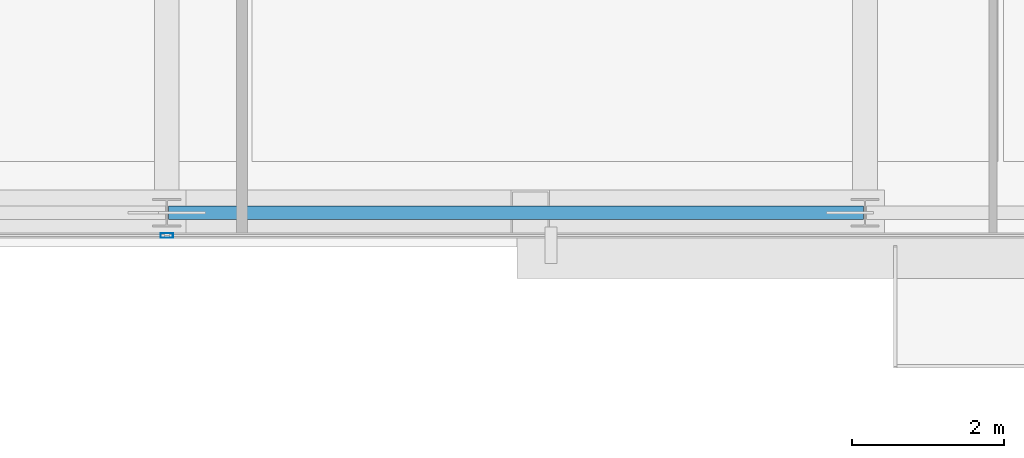
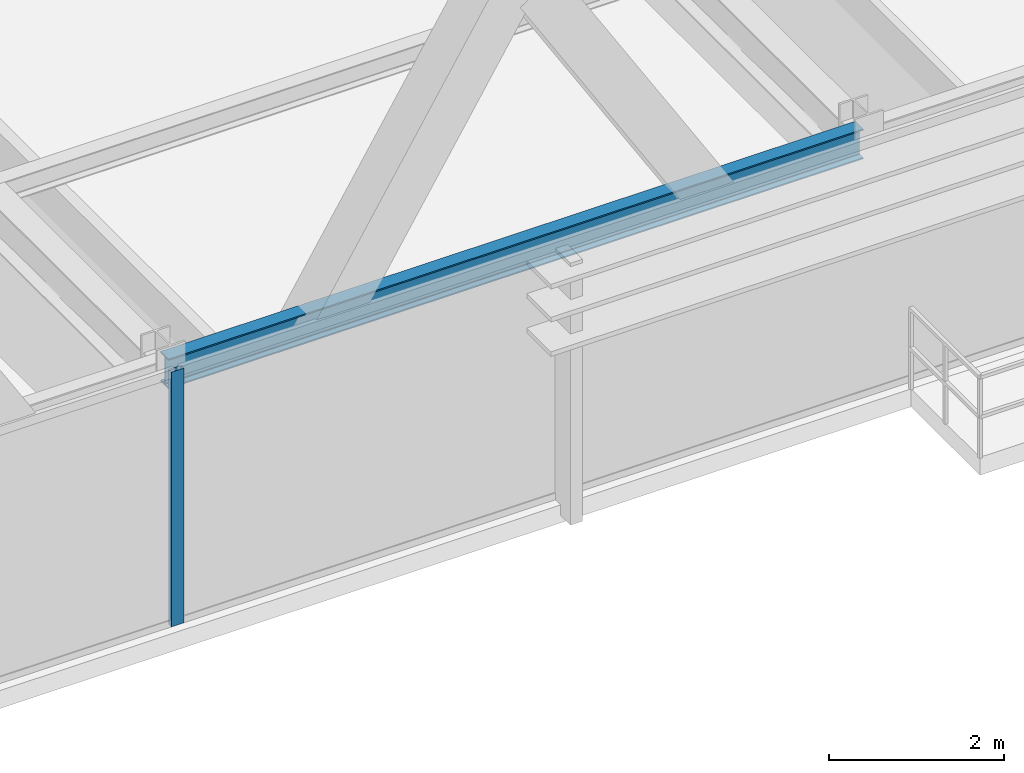
# One storey, part 8 of 34: 1 beam, 1 member, 1 element without a shape of its own.
"""IFC4 building model written with IfcOpenShell, lengths in metres."""

from ifc_helpers import new_model, si_unit, direction, frame, origin, origin_2d, place, context, subcontext, project, spatial, hollow_rectangle, i_section, extrude, source, transform, mapped, material, layer, layer_set, material_profile, profile_set, type_object, type_shapes, element, aggregate, save


model = new_model("IFC4")

# Units and contexts
model_context = context("Model", 3, precision=1e-05, world=origin(), true_north=direction((0.0, 1.0)))
body_context = subcontext(model_context, "Body", "Model", "MODEL_VIEW")
ifc_project = project(units=[si_unit("LENGTHUNIT", "METRE"), si_unit("AREAUNIT", "SQUARE_METRE"), si_unit("VOLUMEUNIT", "CUBIC_METRE"), si_unit("PLANEANGLEUNIT", "RADIAN"), si_unit("MASSUNIT", "GRAM", prefix="KILO")], contexts=[model_context])

# Site, building, storey
site_placement = place(None, origin())
site = spatial("IfcSite", under=ifc_project, at=site_placement, CompositionType="ELEMENT")
building_placement = place(site_placement, origin())
building = spatial("IfcBuilding", under=site, at=building_placement, Name="Varnel Quay Broadcast Tower", CompositionType="ELEMENT")
storey_placement = place(building_placement, frame((0.0, 0.0, 176.199951171875)))
storey = spatial("IfcBuildingStorey", under=building, at=storey_placement, Name="L43", CompositionType="ELEMENT", Elevation=176.199951171875)

# Beam
ifc_material_1 = material(Name="Structural Steel CSA G40.21 350W", Category="steel")
ifc_material_profile_1 = material_profile(ifc_material_1, i_section(OverallWidth=0.180908203125, OverallDepth=0.4169921875, WebThickness=0.010986328125, FlangeThickness=0.018310546875, FilletRadius=0.011962890625, at=origin_2d()), Name="W410X85")
ifc_profile_set_1 = profile_set([ifc_material_profile_1], Name="Structural Steel CSA G40.21 350W")
beam_type = type_object("IfcBeamType", Name="Beam_W410X85", PredefinedType="SPANDREL", material=ifc_profile_set_1)
shared_shape_1 = source(origin(), body_context, "Body", "SweptSolid", [
    extrude(i_section(OverallWidth=0.180908203125, OverallDepth=0.4169921875, WebThickness=0.010986328125, FlangeThickness=0.018310546875, FilletRadius=0.011962890625, at=origin_2d()), origin(), (0.0, 0.0, 1.0), 9.159912109375),
])
type_shapes(beam_type, [shared_shape_1])
beam_placement = place(storey_placement, frame((34.02001953125, 7.64990234375, 3.341552734375), z_axis=(1.0, 0.0, 0.0), x_axis=(0.0, 1.0, 0.0)))
element("IfcBeam", 1, at=beam_placement, inside=storey, type_object=beam_type, Name="L43 South Spandrel TC-S3-TC-S4", PredefinedType="SPANDREL", context=body_context, shape_type="MappedRepresentation", body=[
    mapped(shared_shape_1, transform((0.0, 0.0, 0.0), x_axis=(1.0, 0.0, 0.0), y_axis=(0.0, 1.0, 0.0), z_axis=(0.0, 0.0, 1.0), scale=1.0)),
])

# Curtain wall, member
ifc_material_2 = material(Name="Anodised Bronze Aluminium 6063-T6", Category="aluminium")
ifc_layer = layer(ifc_material_2, 0.18994140625, Name="Anodised Bronze Aluminium 6063-T6")
ifc_layer_set = layer_set([ifc_layer], Name="Anodised Bronze Aluminium 6063-T6")
curtain_wall_type = type_object("IfcCurtainWallType", Name="CW_UpperTower", PredefinedType="NOTDEFINED", material=ifc_layer_set)
curtain_wall_placement = place(storey_placement, origin())
curtain_wall = element("IfcCurtainWall", 2, at=curtain_wall_placement, inside=storey, type_object=curtain_wall_type, Name="L43 South Unitised Curtain Wall 2", PredefinedType="NOTDEFINED")
ifc_material_profile_2 = material_profile(ifc_material_2, hollow_rectangle(XDim=0.06494140625, YDim=0.1650390625, WallThickness=0.00341796875, at=origin_2d()), Name="ALU65X165X3.5")
ifc_profile_set_2 = profile_set([ifc_material_profile_2], Name="Anodised Bronze Aluminium 6063-T6")
member_type = type_object("IfcMemberType", Name="Mull_CWS-03", PredefinedType="MULLION", material=ifc_profile_set_2)
shared_shape_2 = source(origin(), body_context, "Body", "SweptSolid", [
    extrude(hollow_rectangle(XDim=0.06494140625, YDim=0.1650390625, WallThickness=0.00341796875, at=origin_2d()), origin(), (0.0, 0.0, 1.0), 3.550048828125),
])
type_shapes(member_type, [shared_shape_2])
member_placement = place(storey_placement, frame((34.0, 7.35009765625, 0.0), z_axis=(0.0, 0.0, 1.0), x_axis=(0.0, 1.0, 0.0)))
member = element("IfcMember", 3, at=member_placement, type_object=member_type, Name="CWS-03 mullion 2", PredefinedType="MULLION", context=body_context, shape_type="MappedRepresentation", body=[
    mapped(shared_shape_2, transform((0.0, 0.0, 0.0), x_axis=(1.0, 0.0, 0.0), y_axis=(0.0, 1.0, 0.0), z_axis=(0.0, 0.0, 1.0), scale=1.0)),
])
aggregate(curtain_wall, [member])

save(model, "model.ifc")
